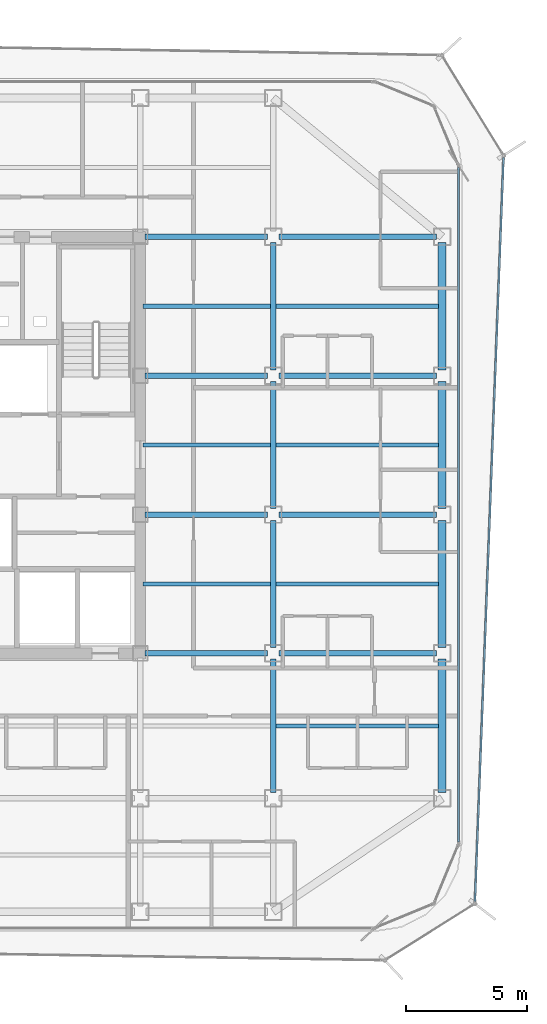
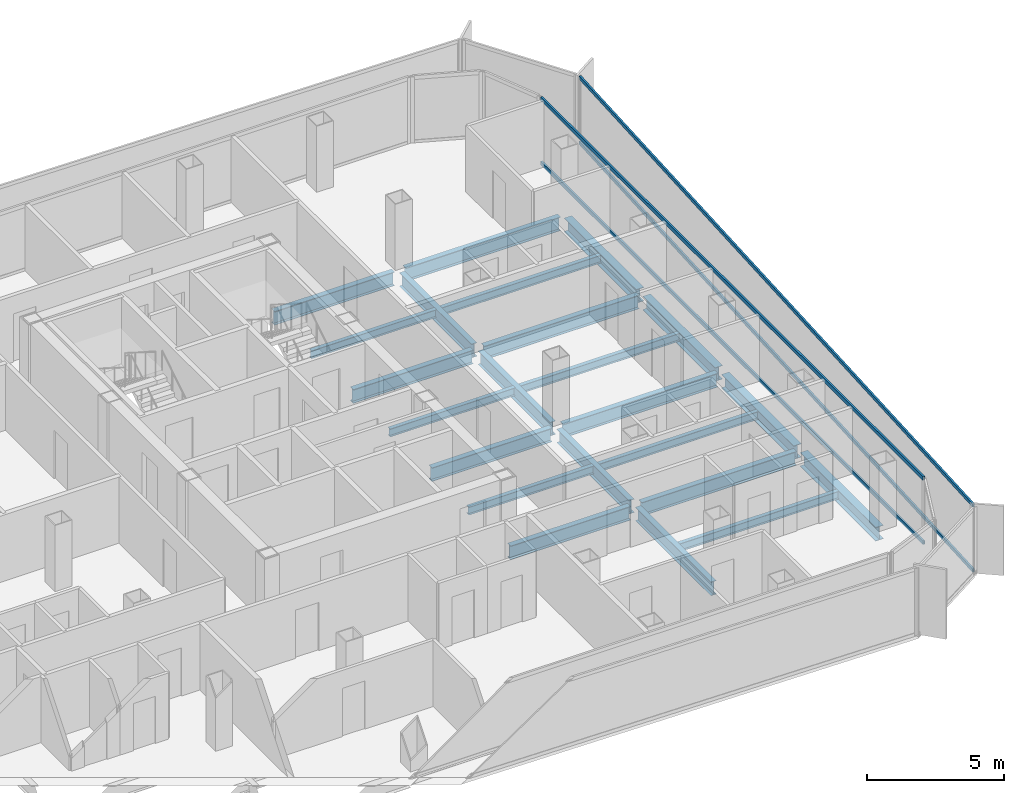
# One storey, part 5 of 16: 23 beams, 4 members, 2 elements without a shape of their own.
"""IFC4 building model written with IfcOpenShell, lengths in metres."""

from ifc_helpers import new_model, si_unit, direction, frame, origin, origin_2d, place, context, subcontext, project, spatial, hollow_rectangle, i_section, extrude, source, transform, mapped, material, layer, layer_set, material_profile, profile_set, type_object, element, aggregate, save


model = new_model("IFC4")

# Units and contexts
model_context = context("Model", 3, precision=1e-05, world=origin(), true_north=direction((0.0, 1.0)))
body_context = subcontext(model_context, "Body", "Model", "MODEL_VIEW")
ifc_project = project(units=[si_unit("LENGTHUNIT", "METRE"), si_unit("AREAUNIT", "SQUARE_METRE"), si_unit("VOLUMEUNIT", "CUBIC_METRE"), si_unit("PLANEANGLEUNIT", "RADIAN"), si_unit("MASSUNIT", "GRAM", prefix="KILO")], contexts=[model_context])

# Site, building, storey
site_placement = place(None, origin())
site = spatial("IfcSite", under=ifc_project, at=site_placement, CompositionType="ELEMENT")
building_placement = place(site_placement, origin())
building = spatial("IfcBuilding", under=site, at=building_placement, Name="Kolveth Station Tower", CompositionType="ELEMENT")
storey_placement = place(building_placement, frame((0.0, 0.0, 156.10009765625)))
storey = spatial("IfcBuildingStorey", under=building, at=storey_placement, Name="L43", CompositionType="ELEMENT", Elevation=156.10009765625)

# Beams
ifc_material_1 = material(Name="Steel S355", Category="steel")
ifc_material_profile_1 = material_profile(ifc_material_1, i_section(OverallWidth=0.323974609375, OverallDepth=0.611083984375, WebThickness=0.0126953125, FlangeThickness=0.01904296875, at=origin_2d()), Name="W610x155")
ifc_profile_set_1 = profile_set([ifc_material_profile_1], Name="Steel S355")
beam_type_1 = type_object("IfcBeamType", Name="Beam_SP2", PredefinedType="SPANDREL", material=ifc_profile_set_1)
shared_shape_1 = source(origin(), body_context, "Body", "SweptSolid", [
    extrude(i_section(OverallWidth=0.323974609375, OverallDepth=0.611083984375, WebThickness=0.0126953125, FlangeThickness=0.01904296875, at=origin_2d()), origin(), (0.0, 0.0, 1.0), 5.52001953125),
])
beam_1_placement = place(storey_placement, frame((41.0, 5.739990234375, -0.5556640625), z_axis=(0.0, 1.0, 0.0), x_axis=(-1.0, 0.0, 0.0)))
element("IfcBeam", 1, at=beam_1_placement, inside=storey, type_object=beam_type_1, Name="L43 Perimeter Spandrel BM-L43-PE-1", PredefinedType="SPANDREL", context=body_context, shape_type="MappedRepresentation", body=[
    mapped(shared_shape_1, transform((0.0, 0.0, 0.0), x_axis=(1.0, 0.0, 0.0), y_axis=(0.0, 1.0, 0.0), z_axis=(0.0, 0.0, 1.0), scale=1.0)),
])
shared_shape_2 = source(origin(), body_context, "Body", "SweptSolid", [
    extrude(i_section(OverallWidth=0.323974609375, OverallDepth=0.611083984375, WebThickness=0.0126953125, FlangeThickness=0.01904296875, at=origin_2d()), origin(), (0.0, 0.0, 1.0), 5.27001953125),
])
for number, where, z_axis, x_axis, name in (
    (2, (41.0, 11.739990234375, -0.5556640625), (0.0, 1.0, 0.0), (-1.0, 0.0, 0.0), "L43 Perimeter Spandrel BM-L43-PE-2"),
    (3, (41.0, 17.489990234375, -0.5556640625), (0.0, 1.0, 0.0), (-1.0, 0.0, 0.0), "L43 Perimeter Spandrel BM-L43-PE-3"),
    (4, (41.0, 23.239990234375, -0.5556640625), (0.0, 1.0, 0.0), (-1.0, 0.0, 0.0), "L43 Perimeter Spandrel BM-L43-PE-4"),
):
    element("IfcBeam", number, at=place(storey_placement, frame(where, z_axis=z_axis, x_axis=x_axis)), inside=storey, type_object=beam_type_1, Name=name, PredefinedType="SPANDREL", context=body_context, shape_type="MappedRepresentation", body=[
        mapped(shared_shape_2, transform((0.0, 0.0, 0.0), x_axis=(1.0, 0.0, 0.0), y_axis=(0.0, 1.0, 0.0), z_axis=(0.0, 0.0, 1.0), scale=1.0)),
    ])
ifc_material_profile_2 = material_profile(ifc_material_1, i_section(OverallWidth=0.22900390625, OverallDepth=0.612060546875, WebThickness=0.011962890625, FlangeThickness=0.01953125, at=origin_2d()), Name="W610x125")
ifc_profile_set_2 = profile_set([ifc_material_profile_2], Name="Steel S355")
beam_type_2 = type_object("IfcBeamType", Name="Beam_B5", PredefinedType="BEAM", material=ifc_profile_set_2)
shared_shape_3 = source(origin(), body_context, "Body", "SweptSolid", [
    extrude(i_section(OverallWidth=0.22900390625, OverallDepth=0.612060546875, WebThickness=0.011962890625, FlangeThickness=0.01953125, at=origin_2d()), origin(), (0.0, 0.0, 1.0), 6.52001953125),
])
for number, where, z_axis, x_axis, name in (
    (5, (34.239990234375, 11.5, -0.55615234375), (1.0, 0.0, 0.0), (0.0, 1.0, 0.0), "L43 Primary Girder BM-L43-GY115-6"),
    (6, (34.239990234375, 17.25, -0.55615234375), (1.0, 0.0, 0.0), (0.0, 1.0, 0.0), "L43 Primary Girder BM-L43-GY172-6"),
    (7, (34.239990234375, 23.0, -0.55615234375), (1.0, 0.0, 0.0), (0.0, 1.0, 0.0), "L43 Primary Girder BM-L43-GY230-6"),
    (8, (34.239990234375, 28.75, -0.55615234375), (1.0, 0.0, 0.0), (0.0, 1.0, 0.0), "L43 Primary Girder BM-L43-GY287-6"),
):
    element("IfcBeam", number, at=place(storey_placement, frame(where, z_axis=z_axis, x_axis=x_axis)), inside=storey, type_object=beam_type_2, Name=name, PredefinedType="BEAM", context=body_context, shape_type="MappedRepresentation", body=[
        mapped(shared_shape_3, transform((0.0, 0.0, 0.0), x_axis=(1.0, 0.0, 0.0), y_axis=(0.0, 1.0, 0.0), z_axis=(0.0, 0.0, 1.0), scale=1.0)),
    ])
shared_shape_4 = source(origin(), body_context, "Body", "SweptSolid", [
    extrude(i_section(OverallWidth=0.22900390625, OverallDepth=0.612060546875, WebThickness=0.011962890625, FlangeThickness=0.01953125, at=origin_2d()), origin(), (0.0, 0.0, 1.0), 5.06005859375),
])
for number, where, z_axis, x_axis, name in (
    (9, (28.699951171875, 11.5, -0.55615234375), (1.0, 0.0, 0.0), (0.0, 1.0, 0.0), "L43 Primary Girder BM-L43-GY115-5"),
    (10, (28.699951171875, 17.25, -0.55615234375), (1.0, 0.0, 0.0), (0.0, 1.0, 0.0), "L43 Primary Girder BM-L43-GY172-5"),
    (11, (28.699951171875, 23.0, -0.55615234375), (1.0, 0.0, 0.0), (0.0, 1.0, 0.0), "L43 Primary Girder BM-L43-GY230-5"),
    (12, (28.699951171875, 28.75, -0.55615234375), (1.0, 0.0, 0.0), (0.0, 1.0, 0.0), "L43 Primary Girder BM-L43-GY287-5"),
):
    element("IfcBeam", number, at=place(storey_placement, frame(where, z_axis=z_axis, x_axis=x_axis)), inside=storey, type_object=beam_type_2, Name=name, PredefinedType="BEAM", context=body_context, shape_type="MappedRepresentation", body=[
        mapped(shared_shape_4, transform((0.0, 0.0, 0.0), x_axis=(1.0, 0.0, 0.0), y_axis=(0.0, 1.0, 0.0), z_axis=(0.0, 0.0, 1.0), scale=1.0)),
    ])
shared_shape_5 = source(origin(), body_context, "Body", "SweptSolid", [
    extrude(i_section(OverallWidth=0.22900390625, OverallDepth=0.612060546875, WebThickness=0.011962890625, FlangeThickness=0.01953125, at=origin_2d()), origin(), (0.0, 0.0, 1.0), 5.52001953125),
])
beam_2_placement = place(storey_placement, frame((34.0, 5.739990234375, -0.55615234375), z_axis=(0.0, 1.0, 0.0), x_axis=(-1.0, 0.0, 0.0)))
element("IfcBeam", 13, at=beam_2_placement, inside=storey, type_object=beam_type_2, Name="L43 Primary Girder BM-L43-GX340-2", PredefinedType="BEAM", context=body_context, shape_type="MappedRepresentation", body=[
    mapped(shared_shape_5, transform((0.0, 0.0, 0.0), x_axis=(1.0, 0.0, 0.0), y_axis=(0.0, 1.0, 0.0), z_axis=(0.0, 0.0, 1.0), scale=1.0)),
])
shared_shape_6 = source(origin(), body_context, "Body", "SweptSolid", [
    extrude(i_section(OverallWidth=0.22900390625, OverallDepth=0.612060546875, WebThickness=0.011962890625, FlangeThickness=0.01953125, at=origin_2d()), origin(), (0.0, 0.0, 1.0), 5.27001953125),
])
for number, where, z_axis, x_axis, name in (
    (14, (34.0, 11.739990234375, -0.55615234375), (0.0, 1.0, 0.0), (-1.0, 0.0, 0.0), "L43 Primary Girder BM-L43-GX340-3"),
    (15, (34.0, 17.489990234375, -0.55615234375), (0.0, 1.0, 0.0), (-1.0, 0.0, 0.0), "L43 Primary Girder BM-L43-GX340-4"),
    (16, (34.0, 23.239990234375, -0.55615234375), (0.0, 1.0, 0.0), (-1.0, 0.0, 0.0), "L43 Primary Girder BM-L43-GX340-5"),
):
    element("IfcBeam", number, at=place(storey_placement, frame(where, z_axis=z_axis, x_axis=x_axis)), inside=storey, type_object=beam_type_2, Name=name, PredefinedType="BEAM", context=body_context, shape_type="MappedRepresentation", body=[
        mapped(shared_shape_6, transform((0.0, 0.0, 0.0), x_axis=(1.0, 0.0, 0.0), y_axis=(0.0, 1.0, 0.0), z_axis=(0.0, 0.0, 1.0), scale=1.0)),
    ])
ifc_material_profile_3 = material_profile(ifc_material_1, i_section(OverallWidth=0.1708984375, OverallDepth=0.35205078125, WebThickness=0.0068359375, FlangeThickness=0.009765625, at=origin_2d()), Name="W360x44")
ifc_profile_set_3 = profile_set([ifc_material_profile_3], Name="Steel S355")
beam_type_3 = type_object("IfcBeamType", Name="Beam_J2", PredefinedType="JOIST", material=ifc_profile_set_3)
shared_shape_7 = source(origin(), body_context, "Body", "SweptSolid", [
    extrude(i_section(OverallWidth=0.1708984375, OverallDepth=0.35205078125, WebThickness=0.0068359375, FlangeThickness=0.009765625, at=origin_2d()), origin(), (0.0, 0.0, 1.0), 5.27490234375),
])
for number, where, z_axis, x_axis, name in (
    (17, (28.612548828125, 14.375, -0.426025390625), (1.0, 0.0, 0.0), (0.0, 1.0, 0.0), "L43 Secondary Joist JST-L43-5-3"),
    (18, (28.612548828125, 20.125, -0.426025390625), (1.0, 0.0, 0.0), (0.0, 1.0, 0.0), "L43 Secondary Joist JST-L43-5-4"),
    (19, (28.612548828125, 25.875, -0.426025390625), (1.0, 0.0, 0.0), (0.0, 1.0, 0.0), "L43 Secondary Joist JST-L43-5-5"),
):
    element("IfcBeam", number, at=place(storey_placement, frame(where, z_axis=z_axis, x_axis=x_axis)), inside=storey, type_object=beam_type_3, Name=name, PredefinedType="JOIST", context=body_context, shape_type="MappedRepresentation", body=[
        mapped(shared_shape_7, transform((0.0, 0.0, 0.0), x_axis=(1.0, 0.0, 0.0), y_axis=(0.0, 1.0, 0.0), z_axis=(0.0, 0.0, 1.0), scale=1.0)),
    ])
shared_shape_8 = source(origin(), body_context, "Body", "SweptSolid", [
    extrude(i_section(OverallWidth=0.1708984375, OverallDepth=0.35205078125, WebThickness=0.0068359375, FlangeThickness=0.009765625, at=origin_2d()), origin(), (0.0, 0.0, 1.0), 6.7275390625),
])
for number, where, z_axis, x_axis, name in (
    (20, (34.112548828125, 8.5, -0.426025390625), (1.0, 0.0, 0.0), (0.0, 1.0, 0.0), "L43 Secondary Joist JST-L43-6-2"),
    (21, (34.112548828125, 14.375, -0.426025390625), (1.0, 0.0, 0.0), (0.0, 1.0, 0.0), "L43 Secondary Joist JST-L43-6-3"),
    (22, (34.112548828125, 20.125, -0.426025390625), (1.0, 0.0, 0.0), (0.0, 1.0, 0.0), "L43 Secondary Joist JST-L43-6-4"),
    (23, (34.112548828125, 25.875, -0.426025390625), (1.0, 0.0, 0.0), (0.0, 1.0, 0.0), "L43 Secondary Joist JST-L43-6-5"),
):
    element("IfcBeam", number, at=place(storey_placement, frame(where, z_axis=z_axis, x_axis=x_axis)), inside=storey, type_object=beam_type_3, Name=name, PredefinedType="JOIST", context=body_context, shape_type="MappedRepresentation", body=[
        mapped(shared_shape_8, transform((0.0, 0.0, 0.0), x_axis=(1.0, 0.0, 0.0), y_axis=(0.0, 1.0, 0.0), z_axis=(0.0, 0.0, 1.0), scale=1.0)),
    ])

# Curtain wall, members
ifc_material_2 = material(Name="Aluminium 6063-T6 and low-E dark glass", Category="aluminium")
ifc_layer_1 = layer(ifc_material_2, 0.18994140625)
ifc_layer_set_1 = layer_set([ifc_layer_1], Name="Aluminium 6063-T6 and low-E dark glass")
curtain_wall_type_1 = type_object("IfcCurtainWallType", Name="CurtainWall_CW-Z2", PredefinedType="NOTDEFINED", material=ifc_layer_set_1)
curtain_wall_1_placement = place(storey_placement, origin())
curtain_wall_1 = element("IfcCurtainWall", 24, at=curtain_wall_1_placement, inside=storey, type_object=curtain_wall_type_1, Name="L43 Inner Thermal Curtain Wall 3", PredefinedType="NOTDEFINED")
ifc_material_3 = material(Name="Black anodized aluminium 6063-T6", Category="aluminium")
ifc_material_profile_4 = material_profile(ifc_material_3, hollow_rectangle(XDim=0.080078125, YDim=0.169921875, WallThickness=0.0048828125, at=origin_2d()), Name="ALU-80x170x5")
ifc_profile_set_4 = profile_set([ifc_material_profile_4], Name="Black anodized aluminium 6063-T6")
member_type_1 = type_object("IfcMemberType", Name="Transom_TR2", PredefinedType="USERDEFINED", material=ifc_profile_set_4)
shared_shape_9 = source(origin(), body_context, "Body", "SweptSolid", [
    extrude(hollow_rectangle(XDim=0.080078125, YDim=0.169921875, WallThickness=0.0048828125, at=origin_2d()), origin(), (0.0, 0.0, 1.0), 27.940185546875),
])
member_1_placement = place(storey_placement, frame((41.679931640625, 3.679931640625, 0.039794921875), z_axis=(0.0, 1.0, 0.0), x_axis=(-1.0, 0.0, 0.0)))
member_1 = element("IfcMember", 25, at=member_1_placement, type_object=member_type_1, Name="CW-Z2 transom 1.1", ObjectType="TRANSOM", PredefinedType="USERDEFINED", context=body_context, shape_type="MappedRepresentation", body=[
    mapped(shared_shape_9, transform((0.0, 0.0, 0.0), x_axis=(1.0, 0.0, 0.0), y_axis=(0.0, 1.0, 0.0), z_axis=(0.0, 0.0, 1.0), scale=1.0)),
])
member_2_placement = place(storey_placement, frame((41.679931640625, 3.679931640625, 2.909912109375), z_axis=(0.0, 1.0, 0.0), x_axis=(-1.0, 0.0, 0.0)))
member_2 = element("IfcMember", 26, at=member_2_placement, type_object=member_type_1, Name="CW-Z2 transom 1.2", ObjectType="TRANSOM", PredefinedType="USERDEFINED", context=body_context, shape_type="MappedRepresentation", body=[
    mapped(shared_shape_9, transform((0.0, 0.0, 0.0), x_axis=(1.0, 0.0, 0.0), y_axis=(0.0, 1.0, 0.0), z_axis=(0.0, 0.0, 1.0), scale=1.0)),
])
aggregate(curtain_wall_1, [member_1, member_2])

ifc_material_4 = material(Name="Black anodized aluminium 6063-T6 and dark solar glass", Category="aluminium")
ifc_layer_2 = layer(ifc_material_4, 0.159912109375)
ifc_layer_set_2 = layer_set([ifc_layer_2], Name="Black anodized aluminium 6063-T6 and dark solar glass")
curtain_wall_type_2 = type_object("IfcCurtainWallType", Name="OUTER SKIN CW-OS", PredefinedType="NOTDEFINED", material=ifc_layer_set_2)
curtain_wall_2_placement = place(storey_placement, origin())
curtain_wall_2 = element("IfcCurtainWall", 27, at=curtain_wall_2_placement, inside=storey, type_object=curtain_wall_type_2, Name="L43 Outer Ventilated Skin Curtain Wall 2", PredefinedType="NOTDEFINED")
ifc_material_profile_5 = material_profile(ifc_material_3, hollow_rectangle(XDim=0.080078125, YDim=0.14990234375, WallThickness=0.0048828125, at=origin_2d()), Name="ALU-80x150x5")
ifc_profile_set_5 = profile_set([ifc_material_profile_5], Name="Black anodized aluminium 6063-T6")
member_type_2 = type_object("IfcMemberType", Name="Transom_TR-OS", PredefinedType="USERDEFINED", material=ifc_profile_set_5)
shared_shape_10 = source(origin(), body_context, "Body", "SweptSolid", [
    extrude(hollow_rectangle(XDim=0.080078125, YDim=0.14990234375, WallThickness=0.0048828125, at=origin_2d()), origin(), (0.0, 0.0, 1.0), 30.8330078125),
])
member_3_placement = place(storey_placement, frame((42.359130859375, 1.221923828125, 0.039794921875), z_axis=(0.03837139081, 0.999263547002, 0.0), x_axis=(-0.999263547002, 0.03837139081, 0.0)))
member_3 = element("IfcMember", 28, at=member_3_placement, type_object=member_type_2, Name="CW-OS transom 1.1", ObjectType="TRANSOM", PredefinedType="USERDEFINED", context=body_context, shape_type="MappedRepresentation", body=[
    mapped(shared_shape_10, transform((0.0, 0.0, 0.0), x_axis=(1.0, 0.0, 0.0), y_axis=(0.0, 1.0, 0.0), z_axis=(0.0, 0.0, 1.0), scale=1.0)),
])
member_4_placement = place(storey_placement, frame((42.359130859375, 1.221923828125, 2.949951171875), z_axis=(0.03837139081, 0.999263547002, 0.0), x_axis=(-0.999263547002, 0.03837139081, 0.0)))
member_4 = element("IfcMember", 29, at=member_4_placement, type_object=member_type_2, Name="CW-OS transom 1.2", ObjectType="TRANSOM", PredefinedType="USERDEFINED", context=body_context, shape_type="MappedRepresentation", body=[
    mapped(shared_shape_10, transform((0.0, 0.0, 0.0), x_axis=(1.0, 0.0, 0.0), y_axis=(0.0, 1.0, 0.0), z_axis=(0.0, 0.0, 1.0), scale=1.0)),
])
aggregate(curtain_wall_2, [member_3, member_4])

save(model, "model.ifc")
